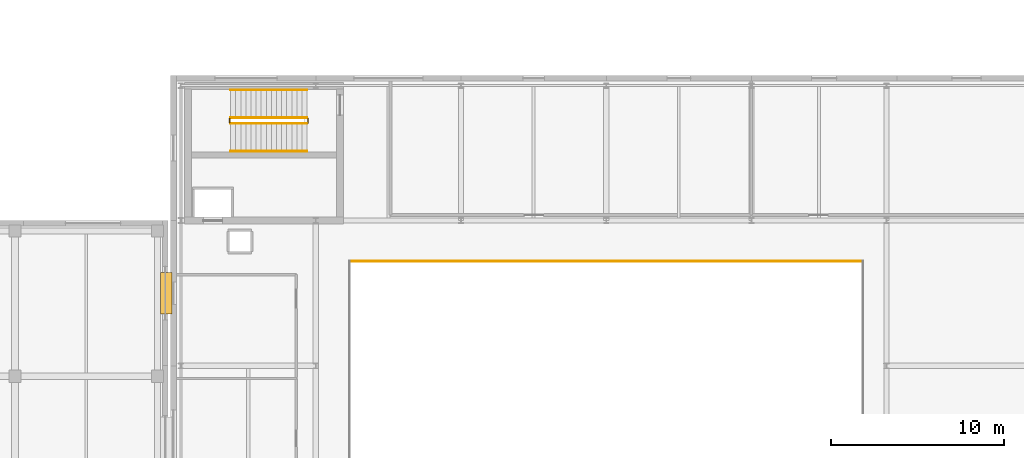
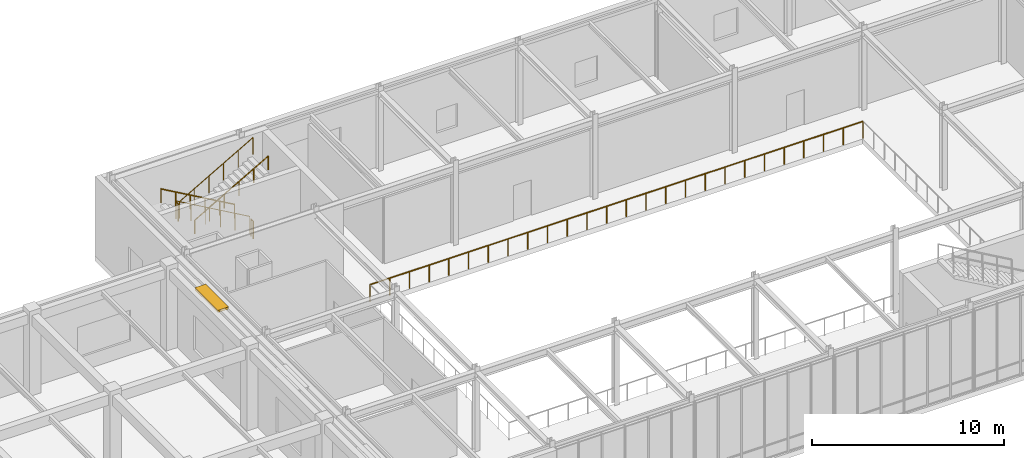
# One storey, part 139 of 139: 7 railings, 1 shading device.
"""IFC4 building model written with IfcOpenShell, lengths in metres."""

from ifc_helpers import new_model, si_unit, direction, frame, origin, origin_2d, place, context, subcontext, project, spatial, rectangle, circle, extrude, material, type_object, element, save


model = new_model("IFC4")

# Units and contexts
model_context = context("Model", 3, precision=1e-05, world=origin(), true_north=direction((0.0, 1.0)))
body_context = subcontext(model_context, "Body", "Model", "MODEL_VIEW")
ifc_project = project(units=[si_unit("LENGTHUNIT", "METRE"), si_unit("AREAUNIT", "SQUARE_METRE"), si_unit("VOLUMEUNIT", "CUBIC_METRE"), si_unit("PLANEANGLEUNIT", "RADIAN"), si_unit("MASSUNIT", "GRAM", prefix="KILO")], contexts=[model_context])

# Site, building, storey
site_placement = place(None, origin())
site = spatial("IfcSite", under=ifc_project, at=site_placement, CompositionType="ELEMENT")
building_placement = place(site_placement, origin())
building = spatial("IfcBuilding", under=site, at=building_placement, Name="Zayran Congress Hotel", CompositionType="ELEMENT")
storey_placement = place(building_placement, frame((0.0, 0.0, 5.39990234375)))
storey = spatial("IfcBuildingStorey", under=building, at=storey_placement, Name="L01", CompositionType="ELEMENT", Elevation=5.39990234375)

# Shading device
ifc_material_1 = material(Name="Precast concrete C40/50", Category="concrete")
shading_device_type = type_object("IfcShadingDeviceType", Name="TP-SHD-01", PredefinedType="JALOUSIE", material=ifc_material_1)
shading_device_placement = place(storey_placement, frame((142.550048828125, 105.408935546875, 4.9599609375), z_axis=(0.0, 0.0, 1.0), x_axis=(0.0, 1.0, 0.0)))
element("IfcShadingDevice", 1, at=shading_device_placement, inside=storey, type_object=shading_device_type, Name="Precast Brise Soleil Louvre 8", PredefinedType="JALOUSIE", context=body_context, shape_type="SweptSolid", body=[
    extrude(rectangle(XDim=2.39990234375, YDim=0.64990234375, at=origin_2d()), origin(), (0.0, 0.0, 1.0), 0.139892578125),
])

# Railings
ifc_material_2 = material(Name="Painted steel balustrade", Category="steel")
railing_type_1 = type_object("IfcRailingType", Name="TP-GRD-INT", PredefinedType="GUARDRAIL", material=ifc_material_2)
railing_1_placement = place(storey_placement, frame((150.699951171875, 115.550048828125, 0.1689453125)))
element("IfcRailing", 2, at=railing_1_placement, inside=storey, type_object=railing_type_1, Name="L01 ST-09 stair guard 1", PredefinedType="GUARDRAIL", context=body_context, shape_type="SweptSolid", body=[
    extrude(circle(Radius=0.02392578125, at=origin_2d()), frame((0.0, 0.0, 1.076171875), z_axis=(-0.868019072493, 0.0, 0.49653085482), x_axis=(0.0, -1.0, 0.0)), (0.0, 0.0, 1.0), 5.097900390625),
    extrude(circle(Radius=0.02099609375, at=origin_2d()), origin(), (0.0, 0.0, 1.0), 1.052001953125),
    extrude(circle(Radius=0.02099609375, at=origin_2d()), frame((-0.885009765625, 0.0, 0.50634765625)), (0.0, 0.0, 1.0), 1.052001953125),
    extrude(circle(Radius=0.02099609375, at=origin_2d()), frame((-1.77001953125, 0.0, 1.012451171875)), (0.0, 0.0, 1.0), 1.052001953125),
    extrude(circle(Radius=0.02099609375, at=origin_2d()), frame((-2.655029296875, 0.0, 1.518798828125)), (0.0, 0.0, 1.0), 1.052001953125),
    extrude(circle(Radius=0.02099609375, at=origin_2d()), frame((-3.5400390625, 0.0, 2.02490234375)), (0.0, 0.0, 1.0), 1.052001953125),
    extrude(circle(Radius=0.02099609375, at=origin_2d()), frame((-4.425048828125, 0.0, 2.53125)), (0.0, 0.0, 1.0), 1.052001953125),
])
railing_2_placement = place(storey_placement, frame((146.22509765625, 115.5, 2.7001953125)))
element("IfcRailing", 3, at=railing_2_placement, inside=storey, type_object=railing_type_1, Name="L01 ST-09 stair guard 2", PredefinedType="GUARDRAIL", context=body_context, shape_type="SweptSolid", body=[
    extrude(circle(Radius=0.02392578125, at=origin_2d()), frame((0.0, 0.0, 1.076171875), z_axis=(0.0, -1.0, 0.0), x_axis=(1.0, 0.0, 0.0)), (0.0, 0.0, 1.0), 0.239990234375),
    extrude(circle(Radius=0.02099609375, at=origin_2d()), origin(), (0.0, 0.0, 1.0), 1.052001953125),
    extrude(circle(Radius=0.02099609375, at=origin_2d()), frame((0.0, -0.239990234375, 0.0)), (0.0, 0.0, 1.0), 1.052001953125),
])
railing_3_placement = place(storey_placement, frame((146.27490234375, 115.2099609375, 2.868896484375)))
element("IfcRailing", 4, at=railing_3_placement, inside=storey, type_object=railing_type_1, Name="L01 ST-09 stair guard 3", PredefinedType="GUARDRAIL", context=body_context, shape_type="SweptSolid", body=[
    extrude(circle(Radius=0.02392578125, at=origin_2d()), frame((0.0, 0.0, 1.076171875), z_axis=(0.868019072493, 0.0, 0.49653085482), x_axis=(0.0, 1.0, 0.0)), (0.0, 0.0, 1.0), 5.097900390625),
    extrude(circle(Radius=0.02099609375, at=origin_2d()), origin(), (0.0, 0.0, 1.0), 1.052001953125),
    extrude(circle(Radius=0.02099609375, at=origin_2d()), frame((0.885009765625, 0.0, 0.50634765625)), (0.0, 0.0, 1.0), 1.052001953125),
    extrude(circle(Radius=0.02099609375, at=origin_2d()), frame((1.77001953125, 0.0, 1.012451171875)), (0.0, 0.0, 1.0), 1.052001953125),
    extrude(circle(Radius=0.02099609375, at=origin_2d()), frame((2.655029296875, 0.0, 1.518798828125)), (0.0, 0.0, 1.0), 1.052001953125),
    extrude(circle(Radius=0.02099609375, at=origin_2d()), frame((3.5400390625, 0.0, 2.02490234375)), (0.0, 0.0, 1.0), 1.052001953125),
    extrude(circle(Radius=0.02099609375, at=origin_2d()), frame((4.425048828125, 0.0, 2.53125)), (0.0, 0.0, 1.0), 1.052001953125),
])
railing_4_placement = place(storey_placement, frame((150.75, 115.5, 0.0)))
element("IfcRailing", 5, at=railing_4_placement, inside=storey, type_object=railing_type_1, Name="L01 ST-09 stair guard 4", PredefinedType="GUARDRAIL", context=body_context, shape_type="SweptSolid", body=[
    extrude(circle(Radius=0.02392578125, at=origin_2d()), frame((0.0, 0.0, 1.076171875), z_axis=(0.0, -1.0, 0.0), x_axis=(1.0, 0.0, 0.0)), (0.0, 0.0, 1.0), 0.239990234375),
    extrude(circle(Radius=0.02099609375, at=origin_2d()), origin(), (0.0, 0.0, 1.0), 1.052001953125),
    extrude(circle(Radius=0.02099609375, at=origin_2d()), frame((0.0, -0.239990234375, 0.0)), (0.0, 0.0, 1.0), 1.052001953125),
])
railing_5_placement = place(storey_placement, frame((182.85009765625, 107.25, 0.0)))
element("IfcRailing", 6, at=railing_5_placement, inside=storey, type_object=railing_type_1, Name="V2 L01 Interior Void Guardrail V2-L01-BAL-N", PredefinedType="GUARDRAIL", context=body_context, shape_type="SweptSolid", body=[
    extrude(circle(Radius=0.02392578125, at=origin_2d()), frame((0.0, 0.0, 1.076171875), z_axis=(-1.0, 0.0, 0.0), x_axis=(0.0, -1.0, 0.0)), (0.0, 0.0, 1.0), 29.7001953125),
    extrude(circle(Radius=0.02099609375, at=origin_2d()), origin(), (0.0, 0.0, 1.0), 1.052001953125),
    extrude(circle(Radius=0.02099609375, at=origin_2d()), frame((-1.18798828125, 0.0, 0.0)), (0.0, 0.0, 1.0), 1.052001953125),
    extrude(circle(Radius=0.02099609375, at=origin_2d()), frame((-2.3759765625, 0.0, 0.0)), (0.0, 0.0, 1.0), 1.052001953125),
    extrude(circle(Radius=0.02099609375, at=origin_2d()), frame((-3.56396484375, 0.0, 0.0)), (0.0, 0.0, 1.0), 1.052001953125),
    extrude(circle(Radius=0.02099609375, at=origin_2d()), frame((-4.751953125, 0.0, 0.0)), (0.0, 0.0, 1.0), 1.052001953125),
    extrude(circle(Radius=0.02099609375, at=origin_2d()), frame((-5.93994140625, 0.0, 0.0)), (0.0, 0.0, 1.0), 1.052001953125),
    extrude(circle(Radius=0.02099609375, at=origin_2d()), frame((-7.1279296875, 0.0, 0.0)), (0.0, 0.0, 1.0), 1.052001953125),
    extrude(circle(Radius=0.02099609375, at=origin_2d()), frame((-8.316162109375, 0.0, 0.0)), (0.0, 0.0, 1.0), 1.052001953125),
    extrude(circle(Radius=0.02099609375, at=origin_2d()), frame((-9.504150390625, 0.0, 0.0)), (0.0, 0.0, 1.0), 1.052001953125),
    extrude(circle(Radius=0.02099609375, at=origin_2d()), frame((-10.692138671875, 0.0, 0.0)), (0.0, 0.0, 1.0), 1.052001953125),
    extrude(circle(Radius=0.02099609375, at=origin_2d()), frame((-11.880126953125, 0.0, 0.0)), (0.0, 0.0, 1.0), 1.052001953125),
    extrude(circle(Radius=0.02099609375, at=origin_2d()), frame((-13.068115234375, 0.0, 0.0)), (0.0, 0.0, 1.0), 1.052001953125),
    extrude(circle(Radius=0.02099609375, at=origin_2d()), frame((-14.256103515625, 0.0, 0.0)), (0.0, 0.0, 1.0), 1.052001953125),
    extrude(circle(Radius=0.02099609375, at=origin_2d()), frame((-15.444091796875, 0.0, 0.0)), (0.0, 0.0, 1.0), 1.052001953125),
    extrude(circle(Radius=0.02099609375, at=origin_2d()), frame((-16.632080078125, 0.0, 0.0)), (0.0, 0.0, 1.0), 1.052001953125),
    extrude(circle(Radius=0.02099609375, at=origin_2d()), frame((-17.820068359375, 0.0, 0.0)), (0.0, 0.0, 1.0), 1.052001953125),
    extrude(circle(Radius=0.02099609375, at=origin_2d()), frame((-19.008056640625, 0.0, 0.0)), (0.0, 0.0, 1.0), 1.052001953125),
    extrude(circle(Radius=0.02099609375, at=origin_2d()), frame((-20.196044921875, 0.0, 0.0)), (0.0, 0.0, 1.0), 1.052001953125),
    extrude(circle(Radius=0.02099609375, at=origin_2d()), frame((-21.384033203125, 0.0, 0.0)), (0.0, 0.0, 1.0), 1.052001953125),
    extrude(circle(Radius=0.02099609375, at=origin_2d()), frame((-22.572265625, 0.0, 0.0)), (0.0, 0.0, 1.0), 1.052001953125),
    extrude(circle(Radius=0.02099609375, at=origin_2d()), frame((-23.76025390625, 0.0, 0.0)), (0.0, 0.0, 1.0), 1.052001953125),
    extrude(circle(Radius=0.02099609375, at=origin_2d()), frame((-24.9482421875, 0.0, 0.0)), (0.0, 0.0, 1.0), 1.052001953125),
    extrude(circle(Radius=0.02099609375, at=origin_2d()), frame((-26.13623046875, 0.0, 0.0)), (0.0, 0.0, 1.0), 1.052001953125),
    extrude(circle(Radius=0.02099609375, at=origin_2d()), frame((-27.32421875, 0.0, 0.0)), (0.0, 0.0, 1.0), 1.052001953125),
    extrude(circle(Radius=0.02099609375, at=origin_2d()), frame((-28.51220703125, 0.0, 0.0)), (0.0, 0.0, 1.0), 1.052001953125),
    extrude(circle(Radius=0.02099609375, at=origin_2d()), frame((-29.7001953125, 0.0, 0.0)), (0.0, 0.0, 1.0), 1.052001953125),
])
ifc_material_3 = material(Name="Brushed stainless steel handrail", Category="steel")
railing_type_2 = type_object("IfcRailingType", Name="TP-HND-STR", PredefinedType="HANDRAIL", material=ifc_material_3)
railing_6_placement = place(storey_placement, frame((150.699951171875, 117.14990234375, 0.1689453125)))
element("IfcRailing", 7, at=railing_6_placement, inside=storey, type_object=railing_type_2, Name="L01 ST-09 stair handrail 1", PredefinedType="HANDRAIL", context=body_context, shape_type="SweptSolid", body=[
    extrude(circle(Radius=0.02392578125, at=origin_2d()), frame((0.0, 0.0, 0.8759765625), z_axis=(-0.868019072493, 0.0, 0.49653085482), x_axis=(0.0, -1.0, 0.0)), (0.0, 0.0, 1.0), 5.097900390625),
    extrude(circle(Radius=0.02099609375, at=origin_2d()), origin(), (0.0, 0.0, 1.0), 0.851806640625),
    extrude(circle(Radius=0.02099609375, at=origin_2d()), frame((-0.885009765625, 0.0, 0.50634765625)), (0.0, 0.0, 1.0), 0.851806640625),
    extrude(circle(Radius=0.02099609375, at=origin_2d()), frame((-1.77001953125, 0.0, 1.012451171875)), (0.0, 0.0, 1.0), 0.851806640625),
    extrude(circle(Radius=0.02099609375, at=origin_2d()), frame((-2.655029296875, 0.0, 1.518798828125)), (0.0, 0.0, 1.0), 0.851806640625),
    extrude(circle(Radius=0.02099609375, at=origin_2d()), frame((-3.5400390625, 0.0, 2.02490234375)), (0.0, 0.0, 1.0), 0.851806640625),
    extrude(circle(Radius=0.02099609375, at=origin_2d()), frame((-4.425048828125, 0.0, 2.53125)), (0.0, 0.0, 1.0), 0.851806640625),
])
railing_7_placement = place(storey_placement, frame((146.27490234375, 113.610107421875, 2.868896484375)))
element("IfcRailing", 8, at=railing_7_placement, inside=storey, type_object=railing_type_2, Name="L01 ST-09 stair handrail 2", PredefinedType="HANDRAIL", context=body_context, shape_type="SweptSolid", body=[
    extrude(circle(Radius=0.02392578125, at=origin_2d()), frame((0.0, 0.0, 0.8759765625), z_axis=(0.868019072493, 0.0, 0.49653085482), x_axis=(0.0, 1.0, 0.0)), (0.0, 0.0, 1.0), 5.097900390625),
    extrude(circle(Radius=0.02099609375, at=origin_2d()), origin(), (0.0, 0.0, 1.0), 0.851806640625),
    extrude(circle(Radius=0.02099609375, at=origin_2d()), frame((0.885009765625, 0.0, 0.50634765625)), (0.0, 0.0, 1.0), 0.851806640625),
    extrude(circle(Radius=0.02099609375, at=origin_2d()), frame((1.77001953125, 0.0, 1.012451171875)), (0.0, 0.0, 1.0), 0.851806640625),
    extrude(circle(Radius=0.02099609375, at=origin_2d()), frame((2.655029296875, 0.0, 1.518798828125)), (0.0, 0.0, 1.0), 0.851806640625),
    extrude(circle(Radius=0.02099609375, at=origin_2d()), frame((3.5400390625, 0.0, 2.02490234375)), (0.0, 0.0, 1.0), 0.851806640625),
    extrude(circle(Radius=0.02099609375, at=origin_2d()), frame((4.425048828125, 0.0, 2.53125)), (0.0, 0.0, 1.0), 0.851806640625),
])

save(model, "model.ifc")
